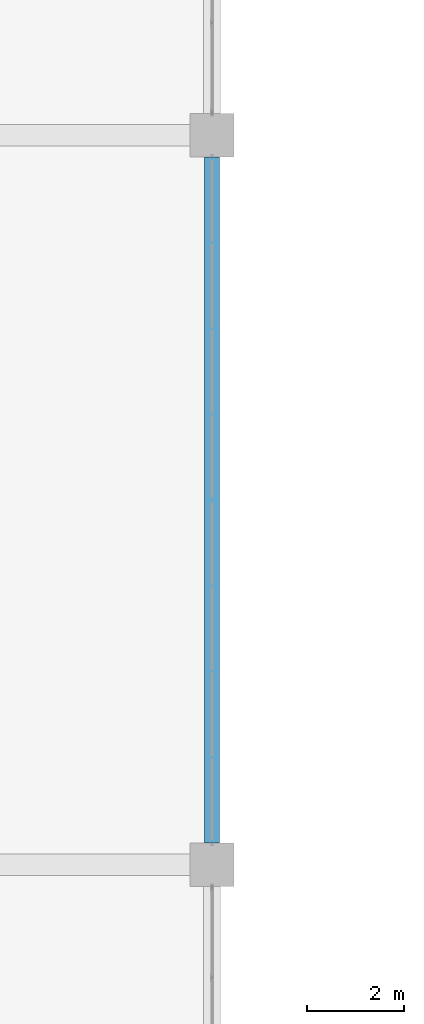
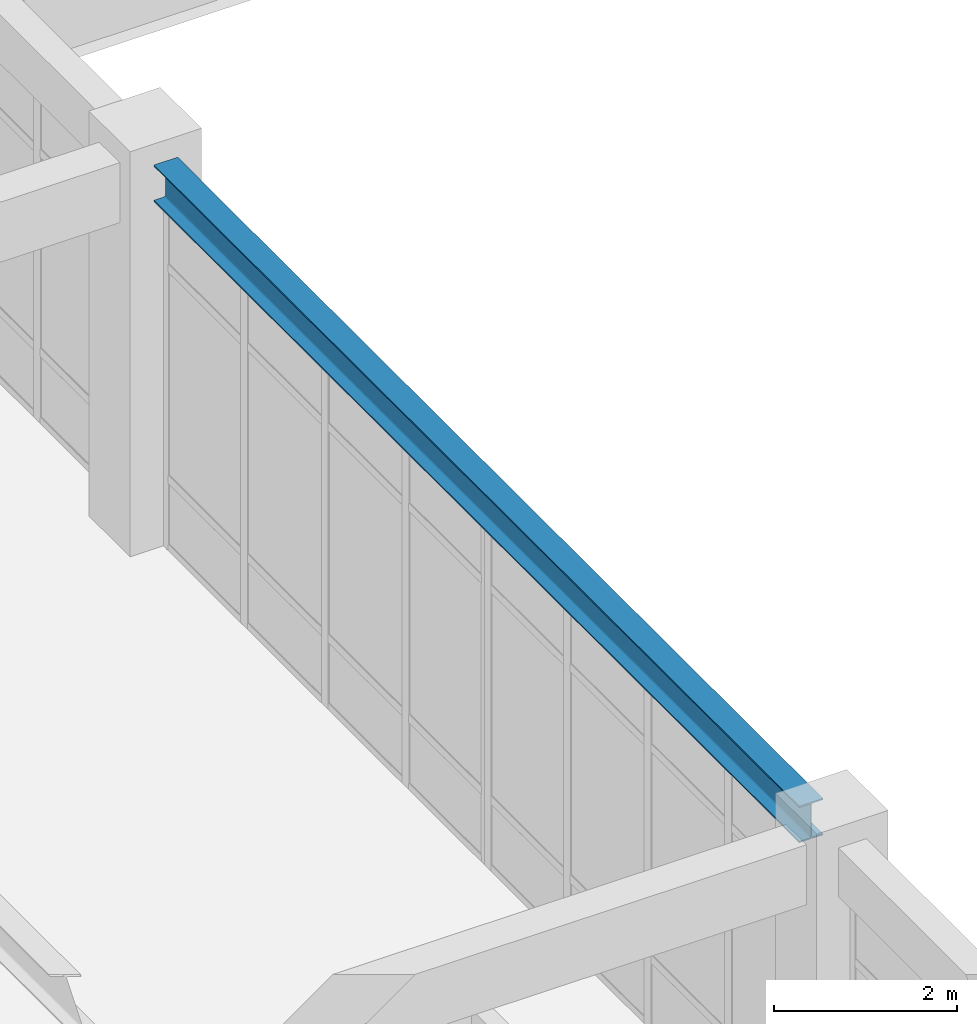
# One storey, part 66 of 114: 1 beam.
"""IFC4 building model written with IfcOpenShell, lengths in metres."""

from ifc_helpers import new_model, si_unit, derived_unit, direction, frame, origin, origin_2d, place, context, subcontext, project, spatial, i_section, extrude, material, material_profile, profile_set, type_object, element, save


model = new_model("IFC4")

# Units and contexts
model_context = context("Model", 3, precision=1e-05, world=origin(), true_north=direction((0.0, 1.0)))
body_context = subcontext(model_context, "Body", "Model", "MODEL_VIEW")
ifc_project = project(units=[si_unit("LENGTHUNIT", "METRE"), si_unit("AREAUNIT", "SQUARE_METRE"), si_unit("VOLUMEUNIT", "CUBIC_METRE"), si_unit("PLANEANGLEUNIT", "RADIAN"), si_unit("MASSUNIT", "GRAM", prefix="KILO"), derived_unit("THERMALTRANSMITTANCEUNIT", [(si_unit("MASSUNIT", "GRAM", prefix="KILO"), 1), (si_unit("TIMEUNIT", "SECOND"), -3), (si_unit("THERMODYNAMICTEMPERATUREUNIT", "KELVIN"), -1)])], contexts=[model_context])

# Site, building, storey
site_placement = place(None, origin())
site = spatial("IfcSite", under=ifc_project, at=site_placement, CompositionType="ELEMENT")
building_placement = place(site_placement, origin())
building = spatial("IfcBuilding", under=site, at=building_placement, Name="Qinzheling Arcade Emporium", CompositionType="ELEMENT")
storey_placement = place(building_placement, frame((0.0, 0.0, 6.0)))
storey = spatial("IfcBuildingStorey", under=building, at=storey_placement, Name="L02", CompositionType="ELEMENT", Elevation=6.0)

# Beam
ifc_material = material(Name="Structural steel Q355B", Category="steel")
ifc_material_profile = material_profile(ifc_material, i_section(OverallWidth=0.300048828125, OverallDepth=0.488037109375, WebThickness=0.010986328125, FlangeThickness=0.01806640625, FilletRadius=0.02197265625, at=origin_2d()), Name="HM 488x300x11x18", Category="steel")
ifc_profile_set = profile_set([ifc_material_profile], Name="Structural steel Q355B")
beam_type = type_object("IfcBeamType", Name="Atrium Bridge Girder HM488 Q355B", PredefinedType="USERDEFINED", material=ifc_profile_set)
beam_placement = place(storey_placement, frame((130.5, 50.85009765625, 4.8759765625), z_axis=(0.0, 1.0, 0.0), x_axis=(-1.0, 0.0, 0.0)))
element("IfcBeam", 1, at=beam_placement, inside=storey, type_object=beam_type, Name="Beam BM-L02-Y-16-G", ObjectType="TRANSFER_GIRDER", PredefinedType="USERDEFINED", context=body_context, shape_type="SweptSolid", body=[
    extrude(i_section(OverallWidth=0.300048828125, OverallDepth=0.488037109375, WebThickness=0.010986328125, FlangeThickness=0.01806640625, FilletRadius=0.02197265625, at=origin_2d()), origin(), (0.0, 0.0, 1.0), 14.099853515625),
])

save(model, "model.ifc")
